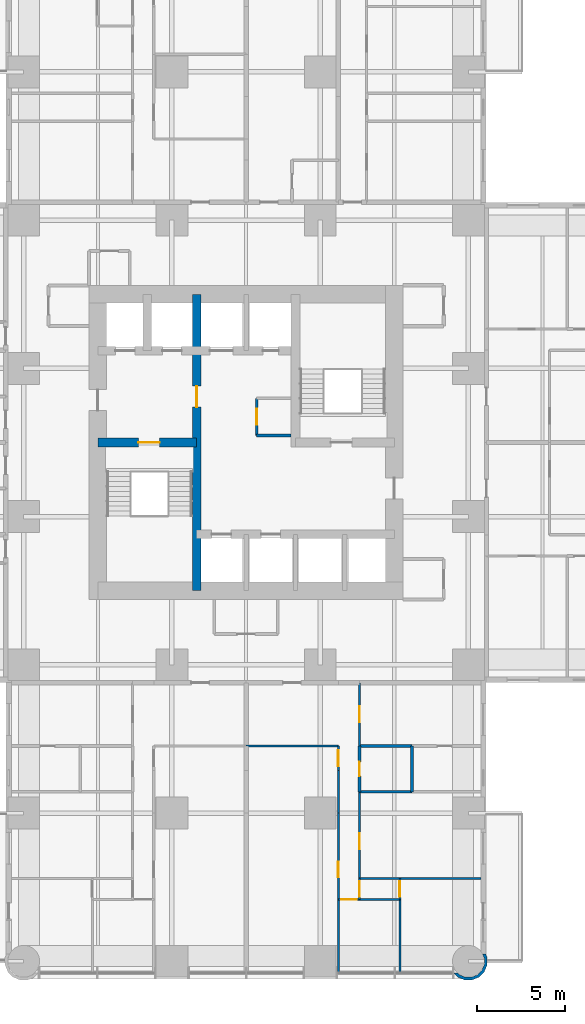
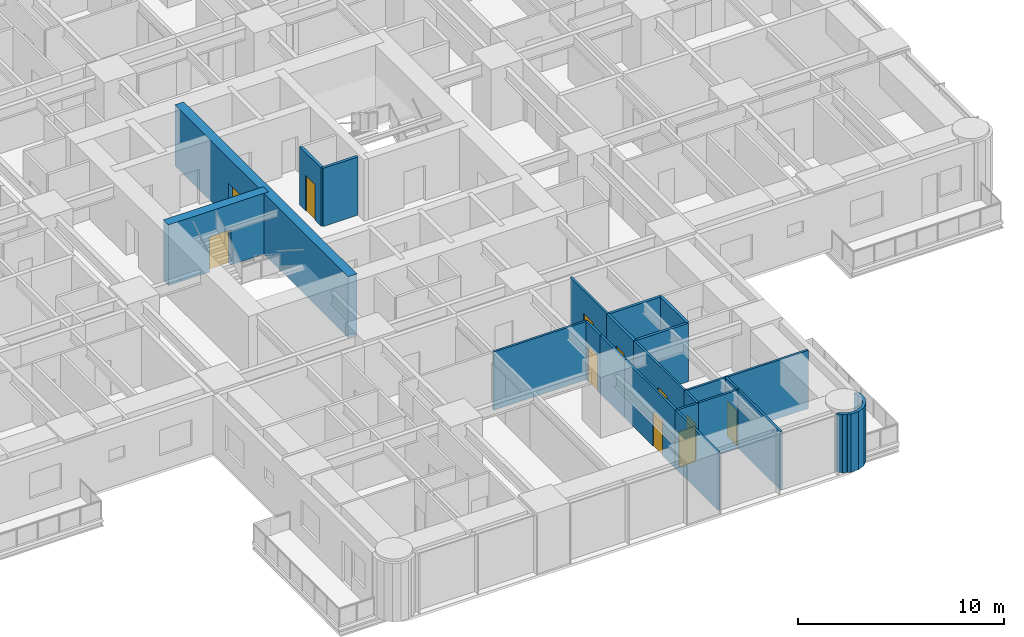
# One storey, part 9 of 17: 23 walls, 11 doors, 11 openings.
"""IFC4 building model written with IfcOpenShell, lengths in metres."""

from ifc_helpers import new_model, si_unit, direction, frame, frame_2d, origin, place, context, subcontext, project, spatial, polyline, rectangle, outline, extrude, material, layer, layer_set, type_object, element, fill, save


model = new_model("IFC4")

# Units and contexts
model_context = context("Model", 3, precision=1e-05, world=origin(), true_north=direction((0.0, 1.0)))
body_context = subcontext(model_context, "Body", "Model", "MODEL_VIEW")
ifc_project = project(units=[si_unit("LENGTHUNIT", "METRE"), si_unit("AREAUNIT", "SQUARE_METRE"), si_unit("VOLUMEUNIT", "CUBIC_METRE"), si_unit("PLANEANGLEUNIT", "RADIAN"), si_unit("MASSUNIT", "GRAM", prefix="KILO")], contexts=[model_context])

# Site, building, storey
site_placement = place(None, origin())
site = spatial("IfcSite", under=ifc_project, at=site_placement, CompositionType="ELEMENT")
building_placement = place(site_placement, origin())
building = spatial("IfcBuilding", under=site, at=building_placement, Name="Torre Alcanfor", CompositionType="ELEMENT")
storey_placement = place(building_placement, frame((0.0, 0.0, 63.300048828125)))
storey = spatial("IfcBuildingStorey", under=building, at=storey_placement, Name="L15", CompositionType="ELEMENT", Elevation=63.300048828125)

# Wall
ifc_material_1 = material(Name="Gypsum board on steel studs", Category="steel")
ifc_layer_1 = layer(ifc_material_1, 0.1201171875)
ifc_layer_set_1 = layer_set([ifc_layer_1], Name="Apartment partition 120")
wall_type_1 = type_object("IfcWallType", Name="Apartment partition 120", PredefinedType="PARTITIONING", material=ifc_layer_set_1)
wall_1_placement = place(storey_placement, frame((29.39990234375, 12.199951171875, 0.0), z_axis=(0.0, 0.0, 1.0), x_axis=(1.0, 0.0, 0.0)))
element("IfcWall", 1, at=wall_1_placement, inside=storey, type_object=wall_type_1, Name="Partition L15-S1-ZAG / L15-S1-LAUND", PredefinedType="PARTITIONING", context=body_context, shape_type="SweptSolid", body=[
    extrude(rectangle(XDim=5.22900390625, YDim=0.1201171875, at=frame_2d((2.614501953125, 0.0))), origin(), (0.0, 0.0, 1.0), 3.449951171875),
])

# Wall, opening, door
wall_2_placement = place(storey_placement, frame((34.62890625, 10.800048828125, 0.0), z_axis=(0.0, 0.0, 1.0), x_axis=(0.0, 1.0, 0.0)))
wall_2 = element("IfcWall", 2, at=wall_2_placement, inside=storey, type_object=wall_type_1, Name="Partition L15-S1-LAUND / L15-S1-HALL", PredefinedType="PARTITIONING", context=body_context, shape_type="SweptSolid", body=[
    extrude(rectangle(XDim=1.39990234375, YDim=0.1201171875, at=frame_2d((0.699951171875, 0.0))), origin(), (0.0, 0.0, 1.0), 3.449951171875),
])
opening_1_placement = place(wall_2_placement, frame((0.25, 0.0, 0.0)))
opening_1 = element("IfcOpeningElement", 3, at=opening_1_placement, cuts=wall_2, Name="Opening D-R1", PredefinedType="OPENING", context=body_context, shape_type="SweptSolid", body=[
    extrude(rectangle(XDim=0.89990234375, YDim=2.10009765625, at=frame_2d((0.449951171875, 1.050048828125))), frame((0.0, 0.070068359375, 0.0), z_axis=(0.0, -1.0, 0.0), x_axis=(1.0, 0.0, 0.0)), (0.0, 0.0, 1.0), 0.14013671875),
])
ifc_material_2 = material(Name="Timber", Category="wood")
door_type_1 = type_object("IfcDoorType", Name="Internal door 900x2100", OperationType="SINGLE_SWING_LEFT", PredefinedType="DOOR", material=ifc_material_2)
door_1_placement = place(opening_1_placement, origin())
door_1 = element("IfcDoor", 4, at=door_1_placement, inside=storey, type_object=door_type_1, Name="Door L15-S1 laund", OperationType="SINGLE_SWING_LEFT", OverallHeight=2.10009765625, OverallWidth=0.89990234375, PredefinedType="DOOR", context=body_context, shape_type="SweptSolid", body=[
    extrude(rectangle(XDim=0.89990234375, YDim=2.10009765625, at=frame_2d((0.449951171875, 1.050048828125))), frame((0.0, 0.02490234375, 0.0), z_axis=(0.0, -1.0, 0.0), x_axis=(1.0, 0.0, 0.0)), (0.0, 0.0, 1.0), 0.050048828125),
])
fill(opening_1, door_1)

# Wall
wall_3_placement = place(storey_placement, frame((34.62890625, 8.39990234375, 0.0), z_axis=(0.0, 0.0, 1.0), x_axis=(0.0, 1.0, 0.0)))
element("IfcWall", 5, at=wall_3_placement, inside=storey, type_object=wall_type_1, Name="Partition L15-S1-KITCHEN / L15-S1-HALL", PredefinedType="PARTITIONING", context=body_context, shape_type="SweptSolid", body=[
    extrude(rectangle(XDim=2.400146484375, YDim=0.1201171875, at=frame_2d((1.2001953125, 0.0))), origin(), (0.0, 0.0, 1.0), 3.449951171875),
])

# Wall, opening, door
wall_4_placement = place(storey_placement, frame((34.62890625, 3.5, 0.0), z_axis=(0.0, 0.0, 1.0), x_axis=(0.0, 1.0, 0.0)))
wall_4 = element("IfcWall", 6, at=wall_4_placement, inside=storey, type_object=wall_type_1, Name="Partition L15-S1-LIVING / L15-S1-HALL", PredefinedType="PARTITIONING", context=body_context, shape_type="SweptSolid", body=[
    extrude(rectangle(XDim=4.89990234375, YDim=0.1201171875, at=frame_2d((2.449951171875, 0.0))), origin(), (0.0, 0.0, 1.0), 3.449951171875),
])
opening_2_placement = place(wall_4_placement, frame((1.25, 0.0, 0.0)))
opening_2 = element("IfcOpeningElement", 7, at=opening_2_placement, cuts=wall_4, Name="Opening D-R1", PredefinedType="OPENING", context=body_context, shape_type="SweptSolid", body=[
    extrude(rectangle(XDim=0.89990234375, YDim=2.10009765625, at=frame_2d((0.449951171875, 1.050048828125))), frame((0.0, 0.070068359375, 0.0), z_axis=(0.0, -1.0, 0.0), x_axis=(1.0, 0.0, 0.0)), (0.0, 0.0, 1.0), 0.14013671875),
])
door_2_placement = place(opening_2_placement, origin())
door_2 = element("IfcDoor", 8, at=door_2_placement, inside=storey, type_object=door_type_1, Name="Door L15-S1 living", OperationType="SINGLE_SWING_RIGHT", OverallHeight=2.10009765625, OverallWidth=0.89990234375, PredefinedType="DOOR", context=body_context, shape_type="SweptSolid", body=[
    extrude(rectangle(XDim=0.89990234375, YDim=2.10009765625, at=frame_2d((0.449951171875, 1.050048828125))), frame((0.0, 0.02490234375, 0.0), z_axis=(0.0, -1.0, 0.0), x_axis=(1.0, 0.0, 0.0)), (0.0, 0.0, 1.0), 0.050048828125),
])
fill(opening_2, door_2)

# Wall
wall_5_placement = place(storey_placement, frame((34.62890625, -0.64990234375, 0.0), z_axis=(0.0, 0.0, 1.0), x_axis=(0.0, 1.0, 0.0)))
element("IfcWall", 9, at=wall_5_placement, inside=storey, type_object=wall_type_1, Name="Partition L15-S1-LIVING / L15-S1-BED2", PredefinedType="PARTITIONING", context=body_context, shape_type="SweptSolid", body=[
    extrude(rectangle(XDim=4.14990234375, YDim=0.1201171875, at=frame_2d((2.074951171875, 0.0))), origin(), (0.0, 0.0, 1.0), 3.449951171875),
])

# Wall, opening, door
wall_6_placement = place(storey_placement, frame((35.8291015625, 12.199951171875, 0.0), z_axis=(0.0, 0.0, 1.0), x_axis=(0.0, 1.0, 0.0)))
wall_6 = element("IfcWall", 10, at=wall_6_placement, inside=storey, type_object=wall_type_1, Name="Partition L15-S1-HALL / L15-S1-SERV", PredefinedType="PARTITIONING", context=body_context, shape_type="SweptSolid", body=[
    extrude(rectangle(XDim=3.574951171875, YDim=0.1201171875, at=frame_2d((1.78759765625, 0.0))), origin(), (0.0, 0.0, 1.0), 3.449951171875),
])
opening_3_placement = place(wall_6_placement, frame((1.35009765625, 0.0, 0.0)))
opening_3 = element("IfcOpeningElement", 11, at=opening_3_placement, cuts=wall_6, Name="Opening D-R1", PredefinedType="OPENING", context=body_context, shape_type="SweptSolid", body=[
    extrude(rectangle(XDim=0.89990234375, YDim=2.10009765625, at=frame_2d((0.449951171875, 1.050048828125))), frame((0.0, 0.070068359375, 0.0), z_axis=(0.0, -1.0, 0.0), x_axis=(1.0, 0.0, 0.0)), (0.0, 0.0, 1.0), 0.14013671875),
])
door_3_placement = place(opening_3_placement, frame((0.89990234375, 0.0, 0.0), z_axis=(0.0, 0.0, 1.0), x_axis=(-1.0, 0.0, 0.0)))
door_3 = element("IfcDoor", 12, at=door_3_placement, inside=storey, type_object=door_type_1, Name="Door L15-S1 serv", OperationType="SINGLE_SWING_LEFT", OverallHeight=2.10009765625, OverallWidth=0.89990234375, PredefinedType="DOOR", context=body_context, shape_type="SweptSolid", body=[
    extrude(rectangle(XDim=0.89990234375, YDim=2.10009765625, at=frame_2d((0.449951171875, 1.050048828125))), frame((0.0, 0.025146484375, 0.0), z_axis=(0.0, -1.0, 0.0), x_axis=(1.0, 0.0, 0.0)), (0.0, 0.0, 1.0), 0.050048828125),
])
fill(opening_3, door_3)

wall_7_placement = place(storey_placement, frame((35.8291015625, 4.699951171875, 0.0), z_axis=(0.0, 0.0, 1.0), x_axis=(0.0, 1.0, 0.0)))
wall_7 = element("IfcWall", 13, at=wall_7_placement, inside=storey, type_object=wall_type_1, Name="Partition L15-S1-HALL / L15-S1-BED3", PredefinedType="PARTITIONING", context=body_context, shape_type="SweptSolid", body=[
    extrude(rectangle(XDim=4.900146484375, YDim=0.1201171875, at=frame_2d((2.4501953125, 0.0))), origin(), (0.0, 0.0, 1.0), 3.449951171875),
])
opening_4_placement = place(wall_7_placement, frame((1.64990234375, 0.0, 0.0)))
opening_4 = element("IfcOpeningElement", 14, at=opening_4_placement, cuts=wall_7, Name="Opening D-R1", PredefinedType="OPENING", context=body_context, shape_type="SweptSolid", body=[
    extrude(rectangle(XDim=0.89990234375, YDim=2.10009765625, at=frame_2d((0.449951171875, 1.050048828125))), frame((0.0, 0.070068359375, 0.0), z_axis=(0.0, -1.0, 0.0), x_axis=(1.0, 0.0, 0.0)), (0.0, 0.0, 1.0), 0.14013671875),
])
door_4_placement = place(opening_4_placement, frame((0.89990234375, 0.0, 0.0), z_axis=(0.0, 0.0, 1.0), x_axis=(-1.0, 0.0, 0.0)))
door_4 = element("IfcDoor", 15, at=door_4_placement, inside=storey, type_object=door_type_1, Name="Door L15-S1 bed3", OperationType="SINGLE_SWING_RIGHT", OverallHeight=2.10009765625, OverallWidth=0.89990234375, PredefinedType="DOOR", context=body_context, shape_type="SweptSolid", body=[
    extrude(rectangle(XDim=0.89990234375, YDim=2.10009765625, at=frame_2d((0.449951171875, 1.050048828125))), frame((0.0, 0.025146484375, 0.0), z_axis=(0.0, -1.0, 0.0), x_axis=(1.0, 0.0, 0.0)), (0.0, 0.0, 1.0), 0.050048828125),
])
fill(opening_4, door_4)

wall_8_placement = place(storey_placement, frame((35.8291015625, 3.5, 0.0), z_axis=(0.0, 0.0, 1.0), x_axis=(0.0, 1.0, 0.0)))
wall_8 = element("IfcWall", 16, at=wall_8_placement, inside=storey, type_object=wall_type_1, Name="Partition L15-S1-HALL / L15-S1-VEST", PredefinedType="PARTITIONING", context=body_context, shape_type="SweptSolid", body=[
    extrude(rectangle(XDim=1.199951171875, YDim=0.1201171875, at=frame_2d((0.60009765625, 0.0))), origin(), (0.0, 0.0, 1.0), 3.449951171875),
])
opening_5_placement = place(wall_8_placement, frame((0.14990234375, 0.0, 0.0)))
opening_5 = element("IfcOpeningElement", 17, at=opening_5_placement, cuts=wall_8, Name="Opening D-R1", PredefinedType="OPENING", context=body_context, shape_type="SweptSolid", body=[
    extrude(rectangle(XDim=0.89990234375, YDim=2.10009765625, at=frame_2d((0.449951171875, 1.050048828125))), frame((0.0, 0.070068359375, 0.0), z_axis=(0.0, -1.0, 0.0), x_axis=(1.0, 0.0, 0.0)), (0.0, 0.0, 1.0), 0.14013671875),
])
door_5_placement = place(opening_5_placement, frame((0.89990234375, 0.0, 0.0), z_axis=(0.0, 0.0, 1.0), x_axis=(-1.0, 0.0, 0.0)))
door_5 = element("IfcDoor", 18, at=door_5_placement, inside=storey, type_object=door_type_1, Name="Door L15-S1 vest", OperationType="SINGLE_SWING_RIGHT", OverallHeight=2.10009765625, OverallWidth=0.89990234375, PredefinedType="DOOR", context=body_context, shape_type="SweptSolid", body=[
    extrude(rectangle(XDim=0.89990234375, YDim=2.10009765625, at=frame_2d((0.449951171875, 1.050048828125))), frame((0.0, 0.025146484375, 0.0), z_axis=(0.0, -1.0, 0.0), x_axis=(1.0, 0.0, 0.0)), (0.0, 0.0, 1.0), 0.050048828125),
])
fill(opening_5, door_5)

wall_9_placement = place(storey_placement, frame((34.62890625, 3.5, 0.0), z_axis=(0.0, 0.0, 1.0), x_axis=(1.0, 0.0, 0.0)))
wall_9 = element("IfcWall", 19, at=wall_9_placement, inside=storey, type_object=wall_type_1, Name="Partition L15-S1-HALL / L15-S1-BED2", PredefinedType="PARTITIONING", context=body_context, shape_type="SweptSolid", body=[
    extrude(rectangle(XDim=1.2001953125, YDim=0.1201171875, at=frame_2d((0.60009765625, 0.0))), origin(), (0.0, 0.0, 1.0), 3.449951171875),
])
opening_6_placement = place(wall_9_placement, frame((0.15087890625, 0.0, 0.0)))
opening_6 = element("IfcOpeningElement", 20, at=opening_6_placement, cuts=wall_9, Name="Opening D-R1", PredefinedType="OPENING", context=body_context, shape_type="SweptSolid", body=[
    extrude(rectangle(XDim=0.89990234375, YDim=2.10009765625, at=frame_2d((0.449951171875, 1.050048828125))), frame((0.0, 0.070068359375, 0.0), z_axis=(0.0, -1.0, 0.0), x_axis=(1.0, 0.0, 0.0)), (0.0, 0.0, 1.0), 0.14013671875),
])
door_6_placement = place(opening_6_placement, frame((0.89990234375, 0.0, 0.0), z_axis=(0.0, 0.0, 1.0), x_axis=(-1.0, 0.0, 0.0)))
door_6 = element("IfcDoor", 21, at=door_6_placement, inside=storey, type_object=door_type_1, Name="Door L15-S1 bed2", OperationType="SINGLE_SWING_RIGHT", OverallHeight=2.10009765625, OverallWidth=0.89990234375, PredefinedType="DOOR", context=body_context, shape_type="SweptSolid", body=[
    extrude(rectangle(XDim=0.89990234375, YDim=2.10009765625, at=frame_2d((0.449951171875, 1.050048828125))), frame((0.0, 0.025146484375, 0.0), z_axis=(0.0, -1.0, 0.0), x_axis=(1.0, 0.0, 0.0)), (0.0, 0.0, 1.0), 0.050048828125),
])
fill(opening_6, door_6)

# Walls
wall_10_placement = place(storey_placement, frame((35.8291015625, 4.699951171875, 0.0), z_axis=(0.0, 0.0, 1.0), x_axis=(1.0, 0.0, 0.0)))
element("IfcWall", 22, at=wall_10_placement, inside=storey, type_object=wall_type_1, Name="Partition L15-S1-BED3 / L15-S1-VEST", PredefinedType="PARTITIONING", context=body_context, shape_type="SweptSolid", body=[
    extrude(rectangle(XDim=2.284912109375, YDim=0.1201171875, at=frame_2d((1.142578125, 0.0))), origin(), (0.0, 0.0, 1.0), 3.449951171875),
])
wall_11_placement = place(storey_placement, frame((38.114013671875, 4.699951171875, 0.0), z_axis=(0.0, 0.0, 1.0), x_axis=(1.0, 0.0, 0.0)))
element("IfcWall", 23, at=wall_11_placement, inside=storey, type_object=wall_type_1, Name="Partition L15-S1-BED3 / L15-S1-MASTER", PredefinedType="PARTITIONING", context=body_context, shape_type="SweptSolid", body=[
    extrude(rectangle(XDim=4.5859375, YDim=0.1201171875, at=frame_2d((2.29296875, 0.0))), origin(), (0.0, 0.0, 1.0), 3.449951171875),
])
wall_12_placement = place(storey_placement, frame((35.8291015625, 3.5, 0.0), z_axis=(0.0, 0.0, 1.0), x_axis=(1.0, 0.0, 0.0)))
element("IfcWall", 24, at=wall_12_placement, inside=storey, type_object=wall_type_1, Name="Partition L15-S1-VEST / L15-S1-BED2", PredefinedType="PARTITIONING", context=body_context, shape_type="SweptSolid", body=[
    extrude(rectangle(XDim=2.284912109375, YDim=0.1201171875, at=frame_2d((1.142578125, 0.0))), origin(), (0.0, 0.0, 1.0), 3.449951171875),
])

# Wall, opening, door
wall_13_placement = place(storey_placement, frame((38.114013671875, 3.5, 0.0), z_axis=(0.0, 0.0, 1.0), x_axis=(0.0, 1.0, 0.0)))
wall_13 = element("IfcWall", 25, at=wall_13_placement, inside=storey, type_object=wall_type_1, Name="Partition L15-S1-VEST / L15-S1-MASTER", PredefinedType="PARTITIONING", context=body_context, shape_type="SweptSolid", body=[
    extrude(rectangle(XDim=1.199951171875, YDim=0.1201171875, at=frame_2d((0.60009765625, 0.0))), origin(), (0.0, 0.0, 1.0), 3.449951171875),
])
opening_7_placement = place(wall_13_placement, frame((0.14990234375, 0.0, 0.0)))
opening_7 = element("IfcOpeningElement", 26, at=opening_7_placement, cuts=wall_13, Name="Opening D-R1", PredefinedType="OPENING", context=body_context, shape_type="SweptSolid", body=[
    extrude(rectangle(XDim=0.89990234375, YDim=2.10009765625, at=frame_2d((0.449951171875, 1.050048828125))), frame((0.0, 0.070068359375, 0.0), z_axis=(0.0, -1.0, 0.0), x_axis=(1.0, 0.0, 0.0)), (0.0, 0.0, 1.0), 0.14013671875),
])
door_7_placement = place(opening_7_placement, origin())
door_7 = element("IfcDoor", 27, at=door_7_placement, inside=storey, type_object=door_type_1, Name="Door L15-S1 master", OperationType="SINGLE_SWING_LEFT", OverallHeight=2.10009765625, OverallWidth=0.89990234375, PredefinedType="DOOR", context=body_context, shape_type="SweptSolid", body=[
    extrude(rectangle(XDim=0.89990234375, YDim=2.10009765625, at=frame_2d((0.449951171875, 1.050048828125))), frame((0.0, 0.02490234375, 0.0), z_axis=(0.0, -1.0, 0.0), x_axis=(1.0, 0.0, 0.0)), (0.0, 0.0, 1.0), 0.050048828125),
])
fill(opening_7, door_7)

# Wall
wall_14_placement = place(storey_placement, frame((38.114013671875, -0.64990234375, 0.0), z_axis=(0.0, 0.0, 1.0), x_axis=(0.0, 1.0, 0.0)))
element("IfcWall", 28, at=wall_14_placement, inside=storey, type_object=wall_type_1, Name="Partition L15-S1-BED2 / L15-S1-MASTER", PredefinedType="PARTITIONING", context=body_context, shape_type="SweptSolid", body=[
    extrude(rectangle(XDim=4.14990234375, YDim=0.1201171875, at=frame_2d((2.074951171875, 0.0))), origin(), (0.0, 0.0, 1.0), 3.449951171875),
])

# Wall, opening, door
ifc_material_3 = material(Name="Concrete f'c 70 MPa", Category="concrete")
ifc_layer_2 = layer(ifc_material_3, 0.5)
ifc_layer_set_2 = layer_set([ifc_layer_2], Name="Core inner wall 500 f'c70")
wall_type_2 = type_object("IfcWallType", Name="Core inner wall 500 f'c70", PredefinedType="SHEAR", material=ifc_layer_set_2)
wall_15_placement = place(storey_placement, frame((26.60009765625, 21.0, 0.0), z_axis=(0.0, 0.0, 1.0), x_axis=(0.0, 1.0, 0.0)))
wall_15 = element("IfcWall", 29, at=wall_15_placement, inside=storey, type_object=wall_type_2, Name="Core wall X266 L15", PredefinedType="SHEAR", context=body_context, shape_type="SweptSolid", body=[
    extrude(rectangle(XDim=16.800048828125, YDim=0.5, at=frame_2d((8.39990234375, 0.0))), origin(), (0.0, 0.0, 1.0), 3.599853515625),
])
opening_8_placement = place(wall_15_placement, frame((10.39990234375, 0.0, 0.0)))
opening_8 = element("IfcOpeningElement", 30, at=opening_8_placement, cuts=wall_15, Name="Opening D-L1", PredefinedType="OPENING", context=body_context, shape_type="SweptSolid", body=[
    extrude(rectangle(XDim=1.199951171875, YDim=2.10009765625, at=frame_2d((0.60009765625, 1.050048828125))), frame((0.0, 0.260009765625, 0.0), z_axis=(0.0, -1.0, 0.0), x_axis=(1.0, 0.0, 0.0)), (0.0, 0.0, 1.0), 0.52001953125),
])
ifc_material_4 = material(Name="Galvanised steel sheet ASTM A653", Category="steel")
door_type_2 = type_object("IfcDoorType", Name="Lobby door FD120 1200x2100", OperationType="SINGLE_SWING_LEFT", PredefinedType="DOOR", material=ifc_material_4)
door_8_placement = place(opening_8_placement, origin())
door_8 = element("IfcDoor", 31, at=door_8_placement, inside=storey, type_object=door_type_2, Name="Lift lobby door L15", OperationType="SINGLE_SWING_LEFT", OverallHeight=2.10009765625, OverallWidth=1.199951171875, PredefinedType="DOOR", context=body_context, shape_type="SweptSolid", body=[
    extrude(rectangle(XDim=1.199951171875, YDim=2.10009765625, at=frame_2d((0.60009765625, 1.050048828125))), frame((0.0, 0.02490234375, 0.0), z_axis=(0.0, -1.0, 0.0), x_axis=(1.0, 0.0, 0.0)), (0.0, 0.0, 1.0), 0.050048828125),
])
fill(opening_8, door_8)

wall_16_placement = place(storey_placement, frame((21.0, 29.39990234375, 0.0), z_axis=(0.0, 0.0, 1.0), x_axis=(1.0, 0.0, 0.0)))
wall_16 = element("IfcWall", 32, at=wall_16_placement, inside=storey, type_object=wall_type_2, Name="Core wall Y294W L15", PredefinedType="SHEAR", context=body_context, shape_type="SweptSolid", body=[
    extrude(rectangle(XDim=5.60009765625, YDim=0.5, at=frame_2d((2.800048828125, 0.0))), origin(), (0.0, 0.0, 1.0), 3.599853515625),
])
opening_9_placement = place(wall_16_placement, frame((2.300048828125, 0.0, 0.0)))
opening_9 = element("IfcOpeningElement", 33, at=opening_9_placement, cuts=wall_16, Name="Opening D-S2", PredefinedType="OPENING", context=body_context, shape_type="SweptSolid", body=[
    extrude(rectangle(XDim=1.199951171875, YDim=2.10009765625, at=frame_2d((0.60009765625, 1.050048828125))), frame((0.0, 0.260009765625, 0.0), z_axis=(0.0, -1.0, 0.0), x_axis=(1.0, 0.0, 0.0)), (0.0, 0.0, 1.0), 0.52001953125),
])
ifc_material_5 = material(Name="Galvanised steel sheet ASTM A653", Category="steel")
door_type_3 = type_object("IfcDoorType", Name="Stair enclosure door FD120 1200x2100", OperationType="SINGLE_SWING_LEFT", PredefinedType="DOOR", material=ifc_material_5)
door_9_placement = place(opening_9_placement, frame((1.199951171875, 0.0, 0.0), z_axis=(0.0, 0.0, 1.0), x_axis=(-1.0, 0.0, 0.0)))
door_9 = element("IfcDoor", 34, at=door_9_placement, inside=storey, type_object=door_type_3, Name="Stair S1 door L15", OperationType="SINGLE_SWING_LEFT", OverallHeight=2.10009765625, OverallWidth=1.199951171875, PredefinedType="DOOR", context=body_context, shape_type="SweptSolid", body=[
    extrude(rectangle(XDim=1.199951171875, YDim=2.10009765625, at=frame_2d((0.599853515625, 1.050048828125))), frame((0.0, 0.025146484375, 0.0), z_axis=(0.0, -1.0, 0.0), x_axis=(1.0, 0.0, 0.0)), (0.0, 0.0, 1.0), 0.050048828125),
])
fill(opening_9, door_9)

# Wall
ifc_material_6 = material(Name="Limestone cladding", Category="masonry")
ifc_layer_3 = layer(ifc_material_6, 0.0400390625, Name="Facing")
ifc_material_7 = material(Name="Ventilated air cavity")
ifc_layer_4 = layer(ifc_material_7, 0.02001953125, ventilated=True, Name="Ventilated joint")
ifc_material_8 = material(Name="Mineral wool insulation", Category="insulation")
ifc_layer_5 = layer(ifc_material_8, 0.10009765625, Name="Insulation")
ifc_material_9 = material(Name="Concrete f'c 35 MPa", Category="concrete")
ifc_layer_6 = layer(ifc_material_9, 0.139892578125, Name="Backing")
ifc_layer_set_3 = layer_set([ifc_layer_3, ifc_layer_4, ifc_layer_5, ifc_layer_6], Name="Rounded corner pier stone-clad 300")
wall_type_3 = type_object("IfcWallType", Name="Rounded corner pier stone-clad 300", PredefinedType="SOLIDWALL", material=ifc_layer_set_3)
wall_17_placement = place(storey_placement, frame((41.23340608, -0.610519256, 0.0), z_axis=(0.0, 0.0, 1.0), x_axis=(0.377204953059, -0.926129809145, 0.0)))
element("IfcWall", 35, at=wall_17_placement, inside=storey, type_object=wall_type_3, Name="Corner pier L15 16", PredefinedType="SOLIDWALL", context=body_context, shape_type="SweptSolid", body=[
    extrude(outline(polyline([(0.31873169437185855, 1.8425336525024494), (-0.07152710704046505, 2.001482809968314), (-0.24009471588869835, 2.0005449414227563), (-0.26941358666453996, 2.017231322070639), (-0.37003424962124987, 1.840731870737274), (-0.10240281114565264, 1.842182010528029), (0.22952066537421467, 1.7069923447343507), (0.48468330510664415, 1.4551793700683648), (0.6237907271323827, 1.1248909220292227), (0.6256685839754508, 0.7664021208386822), (0.49047891818177247, 0.4344786443188148), (0.23866594351578668, 0.1793160045863853), (0.09016005264750862, 0.11695717207098313), (0.01086965602056237, -0.07772001681430692), (0.024436010646714988, -0.08324547999388505), (0.3295868985749782, 0.04527476829386376), (0.48015223740573765, 0.19747796194128653), (0.49902760591309464, 0.19268993376963664), (0.5075741737852856, 0.2253240824532252), (0.6260202259498713, 0.3452676153211709), (0.7849693834157356, 0.7355264167334946), (0.7824906971943995, 1.1572636358175066), (0.6187245413991658, 1.5461003251275562), (0.31873169437185855, 1.8425336525024494)])), origin(), (0.0, 0.0, 1.0), 3.449951171875),
])

# Wall, opening, door
ifc_material_10 = material(Name="Cement board on steel studs", Category="steel")
ifc_layer_7 = layer(ifc_material_10, 0.14990234375)
ifc_layer_set_4 = layer_set([ifc_layer_7], Name="Wet area partition 150")
wall_type_4 = type_object("IfcWallType", Name="Wet area partition 150", PredefinedType="PARTITIONING", material=ifc_layer_set_4)
wall_18_placement = place(storey_placement, frame((35.8291015625, 9.60009765625, 0.0), z_axis=(0.0, 0.0, 1.0), x_axis=(0.0, 1.0, 0.0)))
wall_18 = element("IfcWall", 36, at=wall_18_placement, inside=storey, type_object=wall_type_4, Name="Partition L15-S1-HALL / L15-S1-BATH1", PredefinedType="PARTITIONING", context=body_context, shape_type="SweptSolid", body=[
    extrude(rectangle(XDim=2.599853515625, YDim=0.14990234375, at=frame_2d((1.2998046875, 0.0))), origin(), (0.0, 0.0, 1.0), 3.449951171875),
])
opening_10_placement = place(wall_18_placement, frame((0.89990234375, 0.0, 0.0)))
opening_10 = element("IfcOpeningElement", 37, at=opening_10_placement, cuts=wall_18, Name="Opening D-R2", PredefinedType="OPENING", context=body_context, shape_type="SweptSolid", body=[
    extrude(rectangle(XDim=0.800048828125, YDim=2.10009765625, at=frame_2d((0.39990234375, 1.050048828125))), frame((0.0, 0.0849609375, 0.0), z_axis=(0.0, -1.0, 0.0), x_axis=(1.0, 0.0, 0.0)), (0.0, 0.0, 1.0), 0.169921875),
])
ifc_material_11 = material(Name="Timber", Category="wood")
door_type_4 = type_object("IfcDoorType", Name="Bathroom door 800x2100", OperationType="SINGLE_SWING_LEFT", PredefinedType="DOOR", material=ifc_material_11)
door_10_placement = place(opening_10_placement, frame((0.800048828125, 0.0, 0.0), z_axis=(0.0, 0.0, 1.0), x_axis=(-1.0, 0.0, 0.0)))
door_10 = element("IfcDoor", 38, at=door_10_placement, inside=storey, type_object=door_type_4, Name="Door L15-S1 bath1", OperationType="SINGLE_SWING_RIGHT", OverallHeight=2.10009765625, OverallWidth=0.800048828125, PredefinedType="DOOR", context=body_context, shape_type="SweptSolid", body=[
    extrude(rectangle(XDim=0.800048828125, YDim=2.10009765625, at=frame_2d((0.400146484375, 1.050048828125))), frame((0.0, 0.025146484375, 0.0), z_axis=(0.0, -1.0, 0.0), x_axis=(1.0, 0.0, 0.0)), (0.0, 0.0, 1.0), 0.050048828125),
])
fill(opening_10, door_10)

# Walls
wall_19_placement = place(storey_placement, frame((35.8291015625, 12.199951171875, 0.0), z_axis=(0.0, 0.0, 1.0), x_axis=(1.0, 0.0, 0.0)))
element("IfcWall", 39, at=wall_19_placement, inside=storey, type_object=wall_type_4, Name="Partition L15-S1-SERV / L15-S1-BATH1", PredefinedType="PARTITIONING", context=body_context, shape_type="SweptSolid", body=[
    extrude(rectangle(XDim=2.970947265625, YDim=0.14990234375, at=frame_2d((1.4853515625, 0.0))), origin(), (0.0, 0.0, 1.0), 3.449951171875),
])
wall_20_placement = place(storey_placement, frame((38.800048828125, 9.60009765625, 0.0), z_axis=(0.0, 0.0, 1.0), x_axis=(0.0, 1.0, 0.0)))
element("IfcWall", 40, at=wall_20_placement, inside=storey, type_object=wall_type_4, Name="Partition L15-S1-BATH1 / L15-S1-SBATH", PredefinedType="PARTITIONING", context=body_context, shape_type="SweptSolid", body=[
    extrude(rectangle(XDim=2.599853515625, YDim=0.14990234375, at=frame_2d((1.2998046875, 0.0))), origin(), (0.0, 0.0, 1.0), 3.449951171875),
])
wall_21_placement = place(storey_placement, frame((35.8291015625, 9.60009765625, 0.0), z_axis=(0.0, 0.0, 1.0), x_axis=(1.0, 0.0, 0.0)))
element("IfcWall", 41, at=wall_21_placement, inside=storey, type_object=wall_type_4, Name="Partition L15-S1-BATH1 / L15-S1-BED3", PredefinedType="PARTITIONING", context=body_context, shape_type="SweptSolid", body=[
    extrude(rectangle(XDim=2.970947265625, YDim=0.14990234375, at=frame_2d((1.4853515625, 0.0))), origin(), (0.0, 0.0, 1.0), 3.449951171875),
])
wall_22_placement = place(storey_placement, frame((31.949951171875, 29.800048828125, 0.0), z_axis=(0.0, 0.0, 1.0), x_axis=(-1.0, 0.0, 0.0)))
element("IfcWall", 42, at=wall_22_placement, inside=storey, type_object=wall_type_4, Name="Partition L15-LL / L15-CR1", PredefinedType="PARTITIONING", context=body_context, shape_type="SweptSolid", body=[
    extrude(rectangle(XDim=1.949951171875, YDim=0.14990234375, at=frame_2d((0.97509765625, 0.0))), origin(), (0.0, 0.0, 1.0), 3.449951171875),
])

# Wall, opening, door
wall_23_placement = place(storey_placement, frame((30.0, 29.800048828125, 0.0), z_axis=(0.0, 0.0, 1.0), x_axis=(0.0, 1.0, 0.0)))
wall_23 = element("IfcWall", 43, at=wall_23_placement, inside=storey, type_object=wall_type_4, Name="Partition L15-LL / L15-CR1", PredefinedType="PARTITIONING", context=body_context, shape_type="SweptSolid", body=[
    extrude(rectangle(XDim=2.099853515625, YDim=0.14990234375, at=frame_2d((1.0498046875, 0.0))), origin(), (0.0, 0.0, 1.0), 3.449951171875),
])
opening_11_placement = place(wall_23_placement, frame((0.60009765625, 0.0, 0.0)))
opening_11 = element("IfcOpeningElement", 44, at=opening_11_placement, cuts=wall_23, Name="Opening D-W1", PredefinedType="OPENING", context=body_context, shape_type="SweptSolid", body=[
    extrude(rectangle(XDim=0.89990234375, YDim=2.10009765625, at=frame_2d((0.449951171875, 1.050048828125))), frame((0.0, 0.0849609375, 0.0), z_axis=(0.0, -1.0, 0.0), x_axis=(1.0, 0.0, 0.0)), (0.0, 0.0, 1.0), 0.169921875),
])
ifc_material_12 = material(Name="Timber", Category="wood")
door_type_5 = type_object("IfcDoorType", Name="Toilet door 900x2100", OperationType="SINGLE_SWING_LEFT", PredefinedType="DOOR", material=ifc_material_12)
door_11_placement = place(opening_11_placement, frame((0.89990234375, 0.0, 0.0), z_axis=(0.0, 0.0, 1.0), x_axis=(-1.0, 0.0, 0.0)))
door_11 = element("IfcDoor", 45, at=door_11_placement, inside=storey, type_object=door_type_5, Name="Staff WC door L15", OperationType="SINGLE_SWING_RIGHT", OverallHeight=2.10009765625, OverallWidth=0.89990234375, PredefinedType="DOOR", context=body_context, shape_type="SweptSolid", body=[
    extrude(rectangle(XDim=0.89990234375, YDim=2.10009765625, at=frame_2d((0.449951171875, 1.050048828125))), frame((0.0, 0.025146484375, 0.0), z_axis=(0.0, -1.0, 0.0), x_axis=(1.0, 0.0, 0.0)), (0.0, 0.0, 1.0), 0.050048828125),
])
fill(opening_11, door_11)

save(model, "model.ifc")
